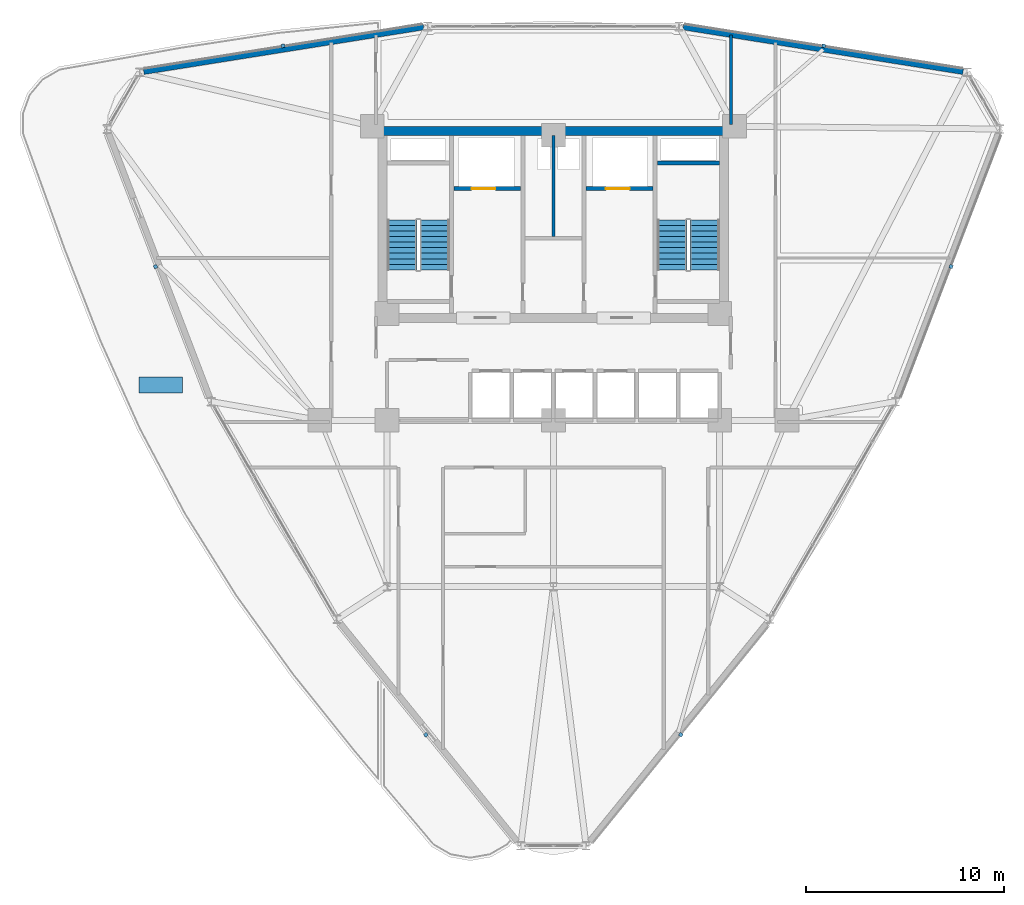
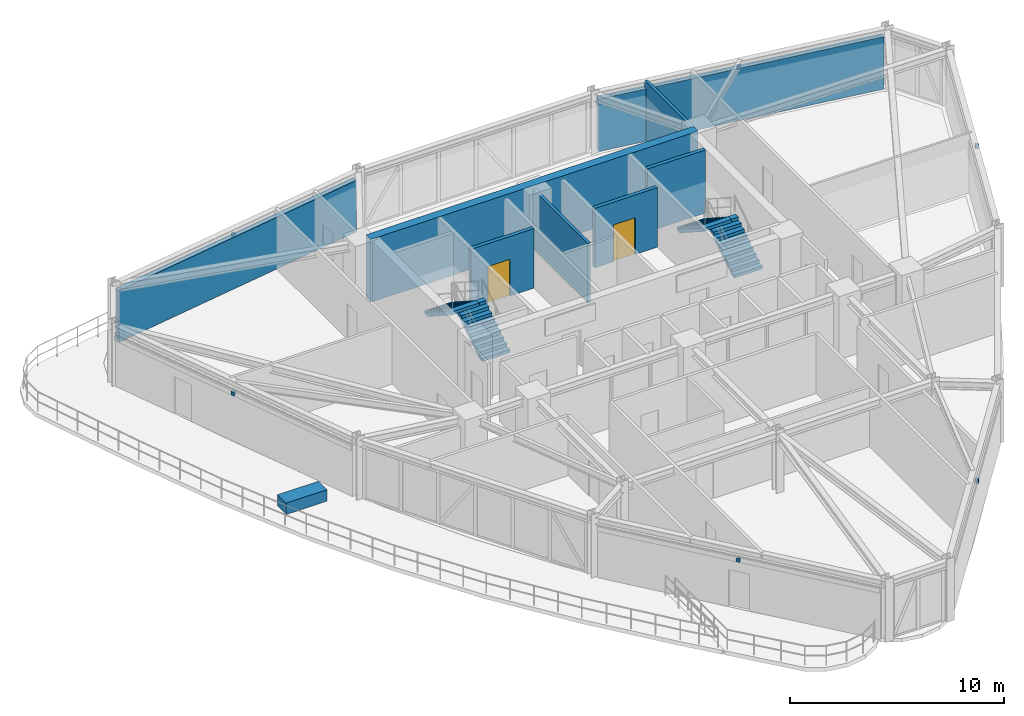
# One storey, part 15 of 18: 8 walls, 7 discrete accessories, 4 stair flights, 2 doors, 2 openings, 2 elements without a shape of their own.
"""IFC4 building model written with IfcOpenShell, lengths in metres."""

from ifc_helpers import new_model, si_unit, derived_unit, direction, frame, frame_2d, origin, origin_2d, place, context, subcontext, project, spatial, polyline, rectangle, outline, extrude, source, transform, mapped, material, layer, layer_set, type_object, element, fill, aggregate, save


model = new_model("IFC4")

# Units and contexts
model_context = context("Model", 3, precision=1e-05, world=origin(), true_north=direction((0.0, 1.0)))
body_context = subcontext(model_context, "Body", "Model", "MODEL_VIEW")
ifc_project = project(units=[si_unit("LENGTHUNIT", "METRE"), si_unit("AREAUNIT", "SQUARE_METRE"), si_unit("VOLUMEUNIT", "CUBIC_METRE"), si_unit("PLANEANGLEUNIT", "RADIAN"), si_unit("MASSUNIT", "GRAM", prefix="KILO"), derived_unit("THERMALTRANSMITTANCEUNIT", [(si_unit("POWERUNIT", "WATT"), 1), (si_unit("LENGTHUNIT", "METRE"), -2), (si_unit("THERMODYNAMICTEMPERATUREUNIT", "KELVIN"), -1)])], contexts=[model_context])

# Site, building, storey
site_placement = place(None, origin())
site = spatial("IfcSite", under=ifc_project, at=site_placement, CompositionType="ELEMENT")
building_placement = place(site_placement, origin())
building = spatial("IfcBuilding", under=site, at=building_placement, Name="Korsvarv Bourse and Concert Hall", CompositionType="ELEMENT")
storey_placement = place(building_placement, frame((0.0, 0.0, 168.60009765625)))
storey = spatial("IfcBuildingStorey", under=building, at=storey_placement, Name="L43", CompositionType="ELEMENT", Elevation=168.60009765625)

# Walls
ifc_material_1 = material(Name="Concrete C50/60", Category="concrete")
ifc_layer_1 = layer(ifc_material_1, 0.3798828125)
ifc_layer_set_1 = layer_set([ifc_layer_1], Name="Concrete C50/60")
wall_type_1 = type_object("IfcWallType", Name="WL-CORE-380", PredefinedType="SHEAR", material=ifc_layer_set_1)
wall_1_placement = place(storey_placement, frame((41.25, 45.39990234375, 0.0), z_axis=(0.0, 0.0, 1.0), x_axis=(1.0, 0.0, 0.0)))
element("IfcWall", 1, at=wall_1_placement, inside=storey, type_object=wall_type_1, Name="L43 stair shaft structural wall W-L43-ST2-N", PredefinedType="SHEAR", context=body_context, shape_type="SweptSolid", body=[
    extrude(rectangle(XDim=3.139892578125, YDim=0.199951171875, at=frame_2d((1.56982421875, 0.0))), origin(), (0.0, 0.0, 1.0), 3.599853515625),
])
ifc_material_2 = material(Name="Concrete C55/67", Category="concrete")
ifc_layer_2 = layer(ifc_material_2, 0.449951171875)
ifc_layer_set_2 = layer_set([ifc_layer_2], Name="Concrete C55/67")
wall_type_2 = type_object("IfcWallType", Name="WL-CORE-450", PredefinedType="SHEAR", material=ifc_layer_set_2)
wall_2_placement = place(storey_placement, frame((27.14990234375, 47.02490234375, 0.0), z_axis=(0.0, 0.0, 1.0), x_axis=(1.0, 0.0, 0.0)))
element("IfcWall", 2, at=wall_2_placement, inside=storey, type_object=wall_type_2, Name="L43 North Core Shear Wall", PredefinedType="SHEAR", context=body_context, shape_type="SweptSolid", body=[
    extrude(rectangle(XDim=17.7001953125, YDim=0.449951171875, at=frame_2d((8.85009765625, 0.0))), origin(), (0.0, 0.0, 1.0), 3.599853515625),
])
ifc_material_3 = material(Name="Precast concrete C45/55 with fluted terracotta pier", Category="concrete")
ifc_layer_3 = layer(ifc_material_3, 0.280029296875)
ifc_layer_set_3 = layer_set([ifc_layer_3], Name="Precast concrete C45/55 with fluted terracotta pier")
wall_type_3 = type_object("IfcWallType", Name="WL-EXT-TC2", PredefinedType="SOLIDWALL", material=ifc_layer_set_3)
wall_3_placement = place(storey_placement, frame((56.69140625, 50.008544921875, 0.0), z_axis=(0.0, 0.0, 1.0), x_axis=(-0.987526171813, 0.157454945885, 0.0)))
element("IfcWall", 3, at=wall_3_placement, inside=storey, type_object=wall_type_3, Name="L43 terracotta exterior wall EW-L43-B02", PredefinedType="SOLIDWALL", context=body_context, shape_type="SweptSolid", body=[
    extrude(rectangle(XDim=14.31298828125, YDim=0.280029296875, at=frame_2d((7.156494140625, 0.0))), origin(), (0.0, 0.0, 1.0), 3.0),
])
wall_4_placement = place(storey_placement, frame((29.443115234375, 52.26220703125, 0.0), z_axis=(0.0, 0.0, 1.0), x_axis=(-0.987526171813, -0.157454945885, 0.0)))
element("IfcWall", 4, at=wall_4_placement, inside=storey, type_object=wall_type_3, Name="L43 terracotta exterior wall EW-L43-B04", PredefinedType="SOLIDWALL", context=body_context, shape_type="SweptSolid", body=[
    extrude(rectangle(XDim=14.31298828125, YDim=0.280029296875, at=frame_2d((7.156494140625, 0.0))), origin(), (0.0, 0.0, 1.0), 2.949951171875),
])

# Wall, opening, door
ifc_material_4 = material(Name="Reinforced concrete blockwork C35/45 fire wall", Category="concrete")
ifc_layer_4 = layer(ifc_material_4, 0.199951171875)
ifc_layer_set_4 = layer_set([ifc_layer_4], Name="Reinforced concrete blockwork C35/45 fire wall")
wall_type_4 = type_object("IfcWallType", Name="WL-INT-EI120", PredefinedType="PARTITIONING", material=ifc_layer_set_4)
wall_5_placement = place(storey_placement, frame((30.969970703125, 44.10009765625, 0.0), z_axis=(0.0, 0.0, 1.0), x_axis=(1.0, 0.0, 0.0)))
wall_5 = element("IfcWall", 5, at=wall_5_placement, inside=storey, type_object=wall_type_4, Name="L43 interior partition wall W-L43-FF1-S", PredefinedType="PARTITIONING", context=body_context, shape_type="SweptSolid", body=[
    extrude(rectangle(XDim=3.380126953125, YDim=0.199951171875, at=frame_2d((1.68994140625, 0.0))), origin(), (0.0, 0.0, 1.0), 3.39990234375),
])
opening_1_placement = place(wall_5_placement, frame((0.89990234375, 0.0, 0.0)))
opening_1 = element("IfcOpeningElement", 6, at=opening_1_placement, cuts=wall_5, Name="Opening LD-1", PredefinedType="OPENING", context=body_context, shape_type="SweptSolid", body=[
    extrude(rectangle(XDim=1.199951171875, YDim=2.10009765625, at=frame_2d((0.60009765625, 1.050048828125))), frame((0.0, 0.10986328125, 0.0), z_axis=(0.0, -1.0, 0.0), x_axis=(1.0, 0.0, 0.0)), (0.0, 0.0, 1.0), 0.219970703125),
])
ifc_material_5 = material(Name="Stainless Steel S355 firefighting lift landing door", Category="steel")
door_type = type_object("IfcDoorType", Name="DR-LIFT-FF", OperationType="DOUBLE_DOOR_SLIDING", PredefinedType="DOOR", material=ifc_material_5)
door_1_placement = place(opening_1_placement, origin())
door_1 = element("IfcDoor", 7, at=door_1_placement, inside=storey, type_object=door_type, Name="L43 lift sliding landing door LD-L43-FF1", OperationType="DOUBLE_DOOR_SLIDING", OverallHeight=2.10009765625, OverallWidth=1.199951171875, PredefinedType="DOOR", context=body_context, shape_type="SweptSolid", body=[
    extrude(rectangle(XDim=1.199951171875, YDim=2.10009765625, at=frame_2d((0.60009765625, 1.050048828125))), frame((0.0, 0.02490234375, 0.0), z_axis=(0.0, -1.0, 0.0), x_axis=(1.0, 0.0, 0.0)), (0.0, 0.0, 1.0), 0.050048828125),
])
fill(opening_1, door_1)

wall_6_placement = place(storey_placement, frame((37.64990234375, 44.10009765625, 0.0), z_axis=(0.0, 0.0, 1.0), x_axis=(1.0, 0.0, 0.0)))
wall_6 = element("IfcWall", 8, at=wall_6_placement, inside=storey, type_object=wall_type_4, Name="L43 interior partition wall W-L43-FF2-S", PredefinedType="PARTITIONING", context=body_context, shape_type="SweptSolid", body=[
    extrude(rectangle(XDim=3.380126953125, YDim=0.199951171875, at=frame_2d((1.68994140625, 0.0))), origin(), (0.0, 0.0, 1.0), 3.39990234375),
])
opening_2_placement = place(wall_6_placement, frame((1.0, 0.0, 0.0)))
opening_2 = element("IfcOpeningElement", 9, at=opening_2_placement, cuts=wall_6, Name="Opening LD-1", PredefinedType="OPENING", context=body_context, shape_type="SweptSolid", body=[
    extrude(rectangle(XDim=1.199951171875, YDim=2.10009765625, at=frame_2d((0.60009765625, 1.050048828125))), frame((0.0, 0.10986328125, 0.0), z_axis=(0.0, -1.0, 0.0), x_axis=(1.0, 0.0, 0.0)), (0.0, 0.0, 1.0), 0.219970703125),
])
door_2_placement = place(opening_2_placement, origin())
door_2 = element("IfcDoor", 10, at=door_2_placement, inside=storey, type_object=door_type, Name="L43 lift sliding landing door LD-L43-FF2", OperationType="DOUBLE_DOOR_SLIDING", OverallHeight=2.10009765625, OverallWidth=1.199951171875, PredefinedType="DOOR", context=body_context, shape_type="SweptSolid", body=[
    extrude(rectangle(XDim=1.199951171875, YDim=2.10009765625, at=frame_2d((0.60009765625, 1.050048828125))), frame((0.0, 0.02490234375, 0.0), z_axis=(0.0, -1.0, 0.0), x_axis=(1.0, 0.0, 0.0)), (0.0, 0.0, 1.0), 0.050048828125),
])
fill(opening_2, door_2)

# Walls
ifc_material_6 = material(Name="Double-stud fire-rated acoustic partition", Category="gypsum")
ifc_layer_5 = layer(ifc_material_6, 0.159912109375)
ifc_layer_set_5 = layer_set([ifc_layer_5], Name="Double-stud fire-rated acoustic partition")
wall_type_5 = type_object("IfcWallType", Name="WL-INT-EI60", PredefinedType="PARTITIONING", material=ifc_layer_set_5)
wall_7_placement = place(storey_placement, frame((36.0048828125, 41.68994140625, 0.0), z_axis=(0.0, 0.0, 1.0), x_axis=(0.0, 1.0, 0.0)))
element("IfcWall", 11, at=wall_7_placement, inside=storey, type_object=wall_type_5, Name="L43 interior partition wall W-L43-K2", PredefinedType="PARTITIONING", context=body_context, shape_type="SweptSolid", body=[
    extrude(rectangle(XDim=5.10009765625, YDim=0.159912109375, at=frame_2d((2.550048828125, 0.0))), origin(), (0.0, 0.0, 1.0), 3.39990234375),
])
wall_8_placement = place(storey_placement, frame((44.965087890625, 47.340087890625, 0.0), z_axis=(0.0, 0.0, 1.0), x_axis=(0.0, 1.0, 0.0)))
element("IfcWall", 12, at=wall_8_placement, inside=storey, type_object=wall_type_5, Name="L43 interior partition wall W-L43-TCOR-13", PredefinedType="PARTITIONING", context=body_context, shape_type="SweptSolid", body=[
    extrude(rectangle(XDim=4.51806640625, YDim=0.159912109375, at=frame_2d((2.259033203125, 0.0))), origin(), (0.0, 0.0, 1.0), 3.39990234375),
])

# Stair, stair flights
ifc_material_7 = material(Name="Precast concrete C45/55", Category="concrete")
stair_type = type_object("IfcStairType", Name="STR-TYPE-04", PredefinedType="HALF_TURN_STAIR", material=ifc_material_7)
stair_1_placement = place(storey_placement, origin())
stair_1 = element("IfcStair", 13, at=stair_1_placement, inside=storey, type_object=stair_type, Name="L43 Tower West Exit Stair ST-T1", PredefinedType="HALF_TURN_STAIR")
stair_flight_type = type_object("IfcStairFlightType", Name="FLT-TYPE-04", PredefinedType="STRAIGHT", material=ifc_material_7)
stair_flight_1_placement = place(storey_placement, frame((30.010009765625, 40.0, 0.0), z_axis=(0.0, 0.0, 1.0), x_axis=(0.0, 1.0, 0.0)))
stair_flight_1 = element("IfcStairFlight", 14, at=stair_flight_1_placement, type_object=stair_flight_type, Name="ST-T1 flight 1", NumberOfRisers=10, NumberOfTreads=9, PredefinedType="STRAIGHT", RiserHeight=0.18, TreadLength=0.28, context=body_context, shape_type="SweptSolid", body=[
    extrude(outline(polyline([(0.0, 0.0), (0.0, 0.179931640625), (0.280029296875, 0.179931640625), (0.280029296875, 0.360107421875), (0.56005859375, 0.360107421875), (0.56005859375, 0.5400390625), (0.840087890625, 0.5400390625), (0.840087890625, 0.719970703125), (1.1201171875, 0.719970703125), (1.1201171875, 0.89990234375), (1.39990234375, 0.89990234375), (1.39990234375, 1.080078125), (1.679931640625, 1.080078125), (1.679931640625, 1.260009765625), (1.9599609375, 1.260009765625), (1.9599609375, 1.43994140625), (2.239990234375, 1.43994140625), (2.239990234375, 1.6201171875), (2.52001953125, 1.6201171875), (2.52001953125, 1.800048828125), (2.52001953125, 1.44189453125), (0.277099609375, 0.0), (0.0, 0.0)])), frame((0.0, 0.75, 0.0), z_axis=(0.0, -1.0, 0.0), x_axis=(1.0, 0.0, 0.0)), (0.0, 0.0, 1.0), 1.5),
])
stair_flight_2_placement = place(storey_placement, frame((28.35009765625, 42.52001953125, 1.7998046875), z_axis=(0.0, 0.0, 1.0), x_axis=(0.0, -1.0, 0.0)))
stair_flight_2 = element("IfcStairFlight", 15, at=stair_flight_2_placement, type_object=stair_flight_type, Name="ST-T1 flight 2", NumberOfRisers=10, NumberOfTreads=9, PredefinedType="STRAIGHT", RiserHeight=0.18, TreadLength=0.28, context=body_context, shape_type="SweptSolid", body=[
    extrude(outline(polyline([(0.0, 0.0), (0.0, 0.179931640625), (0.280029296875, 0.179931640625), (0.280029296875, 0.360107421875), (0.56005859375, 0.360107421875), (0.56005859375, 0.5400390625), (0.840087890625, 0.5400390625), (0.840087890625, 0.719970703125), (1.1201171875, 0.719970703125), (1.1201171875, 0.89990234375), (1.39990234375, 0.89990234375), (1.39990234375, 1.080078125), (1.679931640625, 1.080078125), (1.679931640625, 1.260009765625), (1.9599609375, 1.260009765625), (1.9599609375, 1.43994140625), (2.239990234375, 1.43994140625), (2.239990234375, 1.6201171875), (2.52001953125, 1.6201171875), (2.52001953125, 1.800048828125), (2.52001953125, 1.44189453125), (0.277099609375, 0.0), (0.0, 0.0)])), frame((0.0, 0.75, 0.0), z_axis=(0.0, -1.0, 0.0), x_axis=(1.0, 0.0, 0.0)), (0.0, 0.0, 1.0), 1.5),
])
aggregate(stair_1, [stair_flight_1, stair_flight_2])

stair_2_placement = place(storey_placement, origin())
stair_2 = element("IfcStair", 16, at=stair_2_placement, inside=storey, type_object=stair_type, Name="L43 Tower East Exit Stair ST-T2", PredefinedType="HALF_TURN_STAIR")
stair_flight_3_placement = place(storey_placement, frame((43.64990234375, 40.0, 0.0), z_axis=(0.0, 0.0, 1.0), x_axis=(0.0, 1.0, 0.0)))
stair_flight_3 = element("IfcStairFlight", 17, at=stair_flight_3_placement, type_object=stair_flight_type, Name="ST-T2 flight 1", NumberOfRisers=10, NumberOfTreads=9, PredefinedType="STRAIGHT", RiserHeight=0.18, TreadLength=0.28, context=body_context, shape_type="SweptSolid", body=[
    extrude(outline(polyline([(0.0, 0.0), (0.0, 0.179931640625), (0.280029296875, 0.179931640625), (0.280029296875, 0.360107421875), (0.56005859375, 0.360107421875), (0.56005859375, 0.5400390625), (0.840087890625, 0.5400390625), (0.840087890625, 0.719970703125), (1.1201171875, 0.719970703125), (1.1201171875, 0.89990234375), (1.39990234375, 0.89990234375), (1.39990234375, 1.080078125), (1.679931640625, 1.080078125), (1.679931640625, 1.260009765625), (1.9599609375, 1.260009765625), (1.9599609375, 1.43994140625), (2.239990234375, 1.43994140625), (2.239990234375, 1.6201171875), (2.52001953125, 1.6201171875), (2.52001953125, 1.800048828125), (2.52001953125, 1.44189453125), (0.277099609375, 0.0), (0.0, 0.0)])), frame((0.0, 0.75, 0.0), z_axis=(0.0, -1.0, 0.0), x_axis=(1.0, 0.0, 0.0)), (0.0, 0.0, 1.0), 1.5),
])
stair_flight_4_placement = place(storey_placement, frame((41.989990234375, 42.52001953125, 1.7998046875), z_axis=(0.0, 0.0, 1.0), x_axis=(0.0, -1.0, 0.0)))
stair_flight_4 = element("IfcStairFlight", 18, at=stair_flight_4_placement, type_object=stair_flight_type, Name="ST-T2 flight 2", NumberOfRisers=10, NumberOfTreads=9, PredefinedType="STRAIGHT", RiserHeight=0.18, TreadLength=0.28, context=body_context, shape_type="SweptSolid", body=[
    extrude(outline(polyline([(0.0, 0.0), (0.0, 0.179931640625), (0.280029296875, 0.179931640625), (0.280029296875, 0.360107421875), (0.56005859375, 0.360107421875), (0.56005859375, 0.5400390625), (0.840087890625, 0.5400390625), (0.840087890625, 0.719970703125), (1.1201171875, 0.719970703125), (1.1201171875, 0.89990234375), (1.39990234375, 0.89990234375), (1.39990234375, 1.080078125), (1.679931640625, 1.080078125), (1.679931640625, 1.260009765625), (1.9599609375, 1.260009765625), (1.9599609375, 1.43994140625), (2.239990234375, 1.43994140625), (2.239990234375, 1.6201171875), (2.52001953125, 1.6201171875), (2.52001953125, 1.800048828125), (2.52001953125, 1.44189453125), (0.277099609375, 0.0), (0.0, 0.0)])), frame((0.0, 0.75, 0.0), z_axis=(0.0, -1.0, 0.0), x_axis=(1.0, 0.0, 0.0)), (0.0, 0.0, 1.0), 1.5),
])
aggregate(stair_2, [stair_flight_3, stair_flight_4])

# Discrete accessories
ifc_material_8 = material(Name="Stainless Steel S355 facade outrigger bracket", Category="steel")
discrete_accessory_type_1 = type_object("IfcDiscreteAccessoryType", Name="ACC-BRK-1", PredefinedType="BRACKET", material=ifc_material_8)
shared_shape_1 = source(origin(), body_context, "Body", "SweptSolid", [
    extrude(rectangle(XDim=0.179931640625, YDim=0.179931640625, at=origin_2d()), origin(), (0.0, 0.0, 1.0), 0.199951171875),
])
for number, where, z_axis, x_axis, name in (
    (19, (49.652587890625, 51.313232421875, 2.73974609375), (0.0, 0.0, 1.0), (-0.987523981276, 0.157468683888, 0.0), "L43 terracotta sunshade bracket EW-L43-B02"),
    (20, (22.347412109375, 51.313232421875, 2.68994140625), (0.0, 0.0, 1.0), (-0.987523981276, -0.157468683888, 0.0), "L43 terracotta sunshade bracket EW-L43-B04"),
    (21, (15.90283203125, 40.1630859375, 2.68994140625), (0.0, 0.0, 1.0), (0.35739011009, -0.933955196575, 0.0), "L43 terracotta sunshade bracket EW-L43-B06"),
    (22, (29.556884765625, 16.513671875, 2.73974609375), (0.0, 0.0, 1.0), (0.630133871185, -0.776486512687, 0.0), "L43 terracotta sunshade bracket EW-L43-B08"),
    (23, (42.435302734375, 16.52001953125, 2.73974609375), (0.0, 0.0, 1.0), (0.630133871185, 0.776486512687, 0.0), "L43 terracotta sunshade bracket EW-L43-B10"),
    (24, (56.087890625, 40.166748046875, 2.73974609375), (0.0, 0.0, 1.0), (0.35739011009, 0.933955196575, 0.0), "L43 terracotta sunshade bracket EW-L43-B12"),
):
    element("IfcDiscreteAccessory", number, at=place(storey_placement, frame(where, z_axis=z_axis, x_axis=x_axis)), inside=storey, type_object=discrete_accessory_type_1, Name=name, PredefinedType="BRACKET", context=body_context, shape_type="MappedRepresentation", body=[
        mapped(shared_shape_1, transform((0.0, 0.0, 0.0), scale=1.0)),
    ])
ifc_material_9 = material(Name="Architectural precast concrete C45/55 with terracotta facing", Category="concrete")
discrete_accessory_type_2 = type_object("IfcDiscreteAccessoryType", Name="ACC-PLN-1", PredefinedType="USERDEFINED", material=ifc_material_9)
shared_shape_2 = source(origin(), body_context, "Body", "SweptSolid", [
    extrude(rectangle(XDim=2.199951171875, YDim=0.800048828125, at=origin_2d()), origin(), (0.0, 0.0, 1.0), 0.64990234375),
])
discrete_accessory_placement = place(storey_placement, frame((16.17041015625, 34.188720703125, 0.0), z_axis=(0.0, 0.0, 1.0), x_axis=(1.0, 0.0, 0.0)))
element("IfcDiscreteAccessory", 25, at=discrete_accessory_placement, inside=storey, type_object=discrete_accessory_type_2, Name="L43 landscaped terracotta planter 1", ObjectType="PLANTER", PredefinedType="USERDEFINED", context=body_context, shape_type="MappedRepresentation", body=[
    mapped(shared_shape_2, transform((0.0, 0.0, 0.0), scale=1.0)),
])

save(model, "model.ifc")
